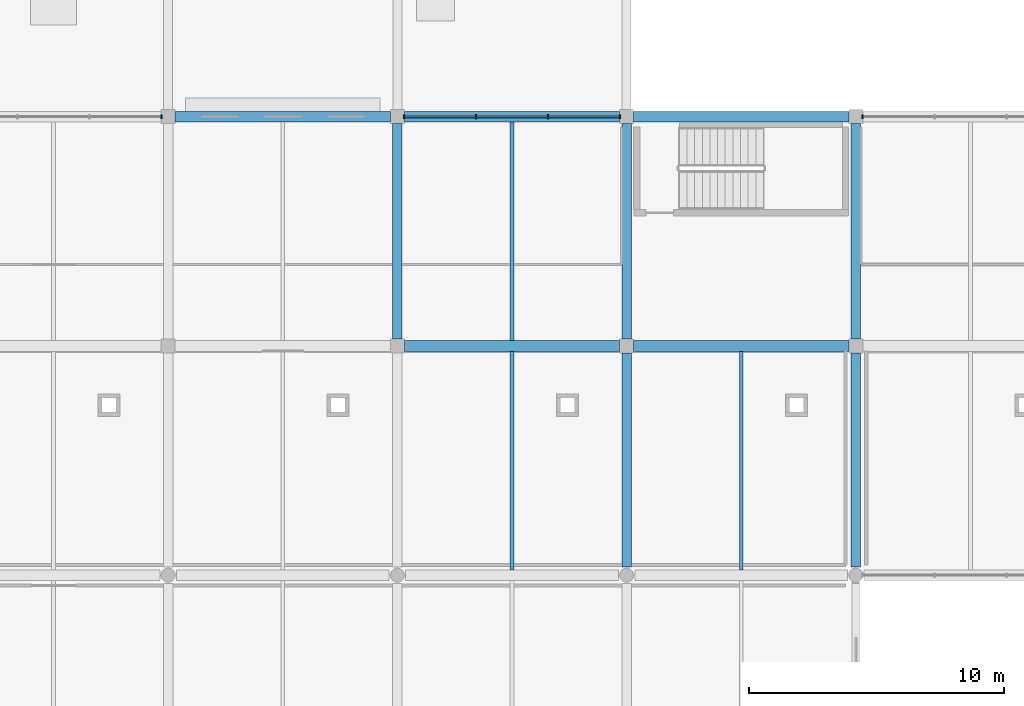
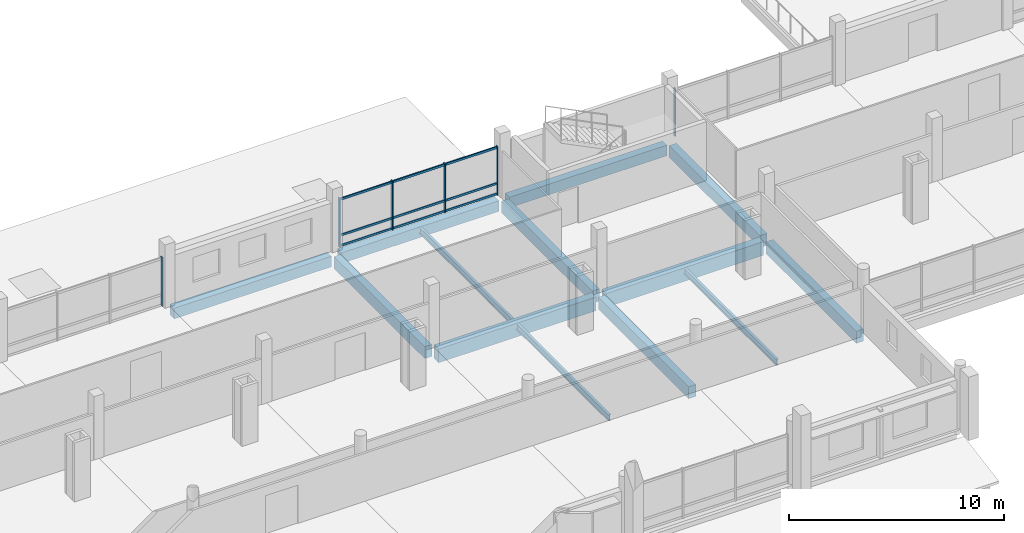
# One storey, part 59 of 132: 15 members, 13 beams, 3 elements without a shape of their own.
"""IFC4 building model written with IfcOpenShell, lengths in metres."""

from ifc_helpers import new_model, si_unit, direction, frame, origin, origin_2d, place, context, subcontext, project, spatial, rectangle, i_section, extrude, material, material_profile, profile_set, type_object, element, aggregate, save


model = new_model("IFC4")

# Units and contexts
model_context = context("Model", 3, precision=1e-05, world=origin(), true_north=direction((0.0, 1.0)))
body_context = subcontext(model_context, "Body", "Model", "MODEL_VIEW")
ifc_project = project(units=[si_unit("LENGTHUNIT", "METRE"), si_unit("AREAUNIT", "SQUARE_METRE"), si_unit("VOLUMEUNIT", "CUBIC_METRE"), si_unit("PLANEANGLEUNIT", "RADIAN"), si_unit("MASSUNIT", "GRAM", prefix="KILO")], contexts=[model_context])

# Site, building, storey
site_placement = place(None, origin())
site = spatial("IfcSite", under=ifc_project, at=site_placement, CompositionType="ELEMENT")
building_placement = place(site_placement, origin())
building = spatial("IfcBuilding", under=site, at=building_placement, Name="Tharagai Park Tramway Depot", CompositionType="ELEMENT")
storey_placement = place(building_placement, frame((0.0, 0.0, 4.800048828125)))
storey = spatial("IfcBuildingStorey", under=building, at=storey_placement, Name="L01", CompositionType="ELEMENT", Elevation=4.800048828125)

# Beams
ifc_material_1 = material(Name="Concrete M35", Category="concrete")
ifc_material_profile_1 = material_profile(ifc_material_1, rectangle(XDim=0.3798828125, YDim=0.679931640625, at=origin_2d()), Name="RC 380x680")
ifc_profile_set_1 = profile_set([ifc_material_profile_1], Name="Concrete M35")
beam_type_1 = type_object("IfcBeamType", Name="BM-12", PredefinedType="BEAM", material=ifc_profile_set_1)
beam_1_placement = place(storey_placement, frame((171.0, 18.27490234375, -0.570068359375), z_axis=(0.0, 1.0, 0.0), x_axis=(-1.0, 0.0, 0.0)))
element("IfcBeam", 1, at=beam_1_placement, inside=storey, type_object=beam_type_1, Name="L01 Grid Beam BM-12", PredefinedType="BEAM", context=body_context, shape_type="SweptSolid", body=[
    extrude(rectangle(XDim=0.3798828125, YDim=0.679931640625, at=origin_2d()), origin(), (0.0, 0.0, 1.0), 8.4501953125),
])
beam_2_placement = place(storey_placement, frame((180.0, 9.324951171875, -0.570068359375), z_axis=(0.0, 1.0, 0.0), x_axis=(-1.0, 0.0, 0.0)))
element("IfcBeam", 2, at=beam_2_placement, inside=storey, type_object=beam_type_1, Name="L01 Grid Beam BM-12", PredefinedType="BEAM", context=body_context, shape_type="SweptSolid", body=[
    extrude(rectangle(XDim=0.3798828125, YDim=0.679931640625, at=origin_2d()), origin(), (0.0, 0.0, 1.0), 8.400146484375),
])
beam_3_placement = place(storey_placement, frame((180.0, 18.27490234375, -0.570068359375), z_axis=(0.0, 1.0, 0.0), x_axis=(-1.0, 0.0, 0.0)))
element("IfcBeam", 3, at=beam_3_placement, inside=storey, type_object=beam_type_1, Name="L01 Grid Beam BM-12", PredefinedType="BEAM", context=body_context, shape_type="SweptSolid", body=[
    extrude(rectangle(XDim=0.3798828125, YDim=0.679931640625, at=origin_2d()), origin(), (0.0, 0.0, 1.0), 8.4501953125),
])
beam_4_placement = place(storey_placement, frame((189.0, 9.324951171875, -0.570068359375), z_axis=(0.0, 1.0, 0.0), x_axis=(-1.0, 0.0, 0.0)))
element("IfcBeam", 4, at=beam_4_placement, inside=storey, type_object=beam_type_1, Name="L01 Grid Beam BM-12", PredefinedType="BEAM", context=body_context, shape_type="SweptSolid", body=[
    extrude(rectangle(XDim=0.3798828125, YDim=0.679931640625, at=origin_2d()), origin(), (0.0, 0.0, 1.0), 8.400146484375),
])
beam_5_placement = place(storey_placement, frame((189.0, 18.27490234375, -0.570068359375), z_axis=(0.0, 1.0, 0.0), x_axis=(-1.0, 0.0, 0.0)))
element("IfcBeam", 5, at=beam_5_placement, inside=storey, type_object=beam_type_1, Name="L01 Grid Beam BM-12", PredefinedType="BEAM", context=body_context, shape_type="SweptSolid", body=[
    extrude(rectangle(XDim=0.3798828125, YDim=0.679931640625, at=origin_2d()), origin(), (0.0, 0.0, 1.0), 8.4501953125),
])
ifc_material_profile_2 = material_profile(ifc_material_1, rectangle(XDim=0.419921875, YDim=0.780029296875, at=origin_2d()), Name="RC 420x780")
ifc_profile_set_2 = profile_set([ifc_material_profile_2], Name="Concrete M35")
beam_type_2 = type_object("IfcBeamType", Name="BM-16", PredefinedType="BEAM", material=ifc_profile_set_2)
for number, where, z_axis, x_axis, name in (
    (6, (171.27490234375, 18.0, -0.6201171875), (1.0, 0.0, 0.0), (0.0, 1.0, 0.0), "L01 Grid Beam BM-16"),
    (7, (180.27490234375, 18.0, -0.6201171875), (1.0, 0.0, 0.0), (0.0, 1.0, 0.0), "L01 Grid Beam BM-16"),
):
    element("IfcBeam", number, at=place(storey_placement, frame(where, z_axis=z_axis, x_axis=x_axis)), inside=storey, type_object=beam_type_2, Name=name, PredefinedType="BEAM", context=body_context, shape_type="SweptSolid", body=[
        extrude(rectangle(XDim=0.419921875, YDim=0.780029296875, at=origin_2d()), origin(), (0.0, 0.0, 1.0), 8.4501953125),
    ])

# Curtain wall, members
ifc_material_2 = material(Name="Anodised aluminium", Category="aluminium")
curtain_wall_type = type_object("IfcCurtainWallType", Name="CW-06", PredefinedType="NOTDEFINED", material=ifc_material_2)
curtain_wall_1_placement = place(storey_placement, origin())
curtain_wall_1 = element("IfcCurtainWall", 8, at=curtain_wall_1_placement, inside=storey, type_object=curtain_wall_type, Name="L01 V5 Gothic Mullioned Curtain Wall CW-06", PredefinedType="NOTDEFINED")
ifc_material_profile_3 = material_profile(ifc_material_2, rectangle(XDim=0.06494140625, YDim=0.1201171875, at=origin_2d()), Name="ALU 65x120")
ifc_profile_set_3 = profile_set([ifc_material_profile_3], Name="Anodised aluminium")
member_type_1 = type_object("IfcMemberType", Name="CM-01", PredefinedType="USERDEFINED", material=ifc_profile_set_3)
member_1_placement = place(storey_placement, frame((171.280029296875, 27.0, 0.06005859375), z_axis=(1.0, 0.0, 0.0), x_axis=(0.0, 1.0, 0.0)))
member_1 = element("IfcMember", 9, at=member_1_placement, type_object=member_type_1, Name="L01 V5 Gothic Mullioned Curtain Wall Transom 1.1", ObjectType="TRANSOM", PredefinedType="USERDEFINED", context=body_context, shape_type="SweptSolid", body=[
    extrude(rectangle(XDim=0.06494140625, YDim=0.1201171875, at=origin_2d()), origin(), (0.0, 0.0, 1.0), 2.793212890625),
])
member_2_placement = place(storey_placement, frame((171.280029296875, 27.0, 0.64990234375), z_axis=(1.0, 0.0, 0.0), x_axis=(0.0, 1.0, 0.0)))
member_2 = element("IfcMember", 10, at=member_2_placement, type_object=member_type_1, Name="L01 V5 Gothic Mullioned Curtain Wall Transom 1.2", ObjectType="TRANSOM", PredefinedType="USERDEFINED", context=body_context, shape_type="SweptSolid", body=[
    extrude(rectangle(XDim=0.06494140625, YDim=0.1201171875, at=origin_2d()), origin(), (0.0, 0.0, 1.0), 2.793212890625),
])
member_3_placement = place(storey_placement, frame((171.280029296875, 27.0, 2.68994140625), z_axis=(1.0, 0.0, 0.0), x_axis=(0.0, 1.0, 0.0)))
member_3 = element("IfcMember", 11, at=member_3_placement, type_object=member_type_1, Name="L01 V5 Gothic Mullioned Curtain Wall Transom 1.3", ObjectType="TRANSOM", PredefinedType="USERDEFINED", context=body_context, shape_type="SweptSolid", body=[
    extrude(rectangle(XDim=0.06494140625, YDim=0.1201171875, at=origin_2d()), origin(), (0.0, 0.0, 1.0), 2.793212890625),
])
member_4_placement = place(storey_placement, frame((174.103271484375, 27.0, 0.06005859375), z_axis=(1.0, 0.0, 0.0), x_axis=(0.0, 1.0, 0.0)))
member_4 = element("IfcMember", 12, at=member_4_placement, type_object=member_type_1, Name="L01 V5 Gothic Mullioned Curtain Wall Transom 2.1", ObjectType="TRANSOM", PredefinedType="USERDEFINED", context=body_context, shape_type="SweptSolid", body=[
    extrude(rectangle(XDim=0.06494140625, YDim=0.1201171875, at=origin_2d()), origin(), (0.0, 0.0, 1.0), 2.79345703125),
])
member_5_placement = place(storey_placement, frame((174.103271484375, 27.0, 0.64990234375), z_axis=(1.0, 0.0, 0.0), x_axis=(0.0, 1.0, 0.0)))
member_5 = element("IfcMember", 13, at=member_5_placement, type_object=member_type_1, Name="L01 V5 Gothic Mullioned Curtain Wall Transom 2.2", ObjectType="TRANSOM", PredefinedType="USERDEFINED", context=body_context, shape_type="SweptSolid", body=[
    extrude(rectangle(XDim=0.06494140625, YDim=0.1201171875, at=origin_2d()), origin(), (0.0, 0.0, 1.0), 2.79345703125),
])
member_6_placement = place(storey_placement, frame((174.103271484375, 27.0, 2.68994140625), z_axis=(1.0, 0.0, 0.0), x_axis=(0.0, 1.0, 0.0)))
member_6 = element("IfcMember", 14, at=member_6_placement, type_object=member_type_1, Name="L01 V5 Gothic Mullioned Curtain Wall Transom 2.3", ObjectType="TRANSOM", PredefinedType="USERDEFINED", context=body_context, shape_type="SweptSolid", body=[
    extrude(rectangle(XDim=0.06494140625, YDim=0.1201171875, at=origin_2d()), origin(), (0.0, 0.0, 1.0), 2.79345703125),
])
member_7_placement = place(storey_placement, frame((176.9267578125, 27.0, 0.06005859375), z_axis=(1.0, 0.0, 0.0), x_axis=(0.0, 1.0, 0.0)))
member_7 = element("IfcMember", 15, at=member_7_placement, type_object=member_type_1, Name="L01 V5 Gothic Mullioned Curtain Wall Transom 3.1", ObjectType="TRANSOM", PredefinedType="USERDEFINED", context=body_context, shape_type="SweptSolid", body=[
    extrude(rectangle(XDim=0.06494140625, YDim=0.1201171875, at=origin_2d()), origin(), (0.0, 0.0, 1.0), 2.793212890625),
])
member_8_placement = place(storey_placement, frame((176.9267578125, 27.0, 0.64990234375), z_axis=(1.0, 0.0, 0.0), x_axis=(0.0, 1.0, 0.0)))
member_8 = element("IfcMember", 16, at=member_8_placement, type_object=member_type_1, Name="L01 V5 Gothic Mullioned Curtain Wall Transom 3.2", ObjectType="TRANSOM", PredefinedType="USERDEFINED", context=body_context, shape_type="SweptSolid", body=[
    extrude(rectangle(XDim=0.06494140625, YDim=0.1201171875, at=origin_2d()), origin(), (0.0, 0.0, 1.0), 2.793212890625),
])
member_9_placement = place(storey_placement, frame((176.9267578125, 27.0, 2.68994140625), z_axis=(1.0, 0.0, 0.0), x_axis=(0.0, 1.0, 0.0)))
member_9 = element("IfcMember", 17, at=member_9_placement, type_object=member_type_1, Name="L01 V5 Gothic Mullioned Curtain Wall Transom 3.3", ObjectType="TRANSOM", PredefinedType="USERDEFINED", context=body_context, shape_type="SweptSolid", body=[
    extrude(rectangle(XDim=0.06494140625, YDim=0.1201171875, at=origin_2d()), origin(), (0.0, 0.0, 1.0), 2.793212890625),
])

# Curtain wall, member
curtain_wall_2_placement = place(storey_placement, origin())
curtain_wall_2 = element("IfcCurtainWall", 18, at=curtain_wall_2_placement, inside=storey, type_object=curtain_wall_type, Name="L01 V5 Gothic Mullioned Curtain Wall CW-06", PredefinedType="NOTDEFINED")
ifc_material_profile_4 = material_profile(ifc_material_2, rectangle(XDim=0.06494140625, YDim=0.14990234375, at=origin_2d()), Name="ALU 65x150")
ifc_profile_set_4 = profile_set([ifc_material_profile_4], Name="Anodised aluminium")
member_type_2 = type_object("IfcMemberType", Name="CM-03", PredefinedType="MULLION", material=ifc_profile_set_4)
member_10_placement = place(storey_placement, frame((161.735107421875, 27.0, -0.005126953125), z_axis=(0.0, 0.0, 1.0), x_axis=(1.0, 0.0, 0.0)))
member_10 = element("IfcMember", 19, at=member_10_placement, type_object=member_type_2, Name="L01 V5 Gothic Mullioned Curtain Wall Mullion 4", PredefinedType="MULLION", context=body_context, shape_type="SweptSolid", body=[
    extrude(rectangle(XDim=0.06494140625, YDim=0.14990234375, at=origin_2d()), origin(), (0.0, 0.0, 1.0), 2.780029296875),
])
aggregate(curtain_wall_2, [member_10])

# Member
member_11_placement = place(storey_placement, frame((171.264892578125, 27.0, -0.005126953125), z_axis=(0.0, 0.0, 1.0), x_axis=(1.0, 0.0, 0.0)))
member_11 = element("IfcMember", 20, at=member_11_placement, type_object=member_type_2, Name="L01 V5 Gothic Mullioned Curtain Wall Mullion 1", PredefinedType="MULLION", context=body_context, shape_type="SweptSolid", body=[
    extrude(rectangle(XDim=0.06494140625, YDim=0.14990234375, at=origin_2d()), origin(), (0.0, 0.0, 1.0), 2.780029296875),
])

member_12_placement = place(storey_placement, frame((174.08837890625, 27.0, -0.005126953125), z_axis=(0.0, 0.0, 1.0), x_axis=(1.0, 0.0, 0.0)))
member_12 = element("IfcMember", 21, at=member_12_placement, type_object=member_type_2, Name="L01 V5 Gothic Mullioned Curtain Wall Mullion 2", PredefinedType="MULLION", context=body_context, shape_type="SweptSolid", body=[
    extrude(rectangle(XDim=0.06494140625, YDim=0.14990234375, at=origin_2d()), origin(), (0.0, 0.0, 1.0), 2.780029296875),
])

member_13_placement = place(storey_placement, frame((176.91162109375, 27.0, -0.005126953125), z_axis=(0.0, 0.0, 1.0), x_axis=(1.0, 0.0, 0.0)))
member_13 = element("IfcMember", 22, at=member_13_placement, type_object=member_type_2, Name="L01 V5 Gothic Mullioned Curtain Wall Mullion 3", PredefinedType="MULLION", context=body_context, shape_type="SweptSolid", body=[
    extrude(rectangle(XDim=0.06494140625, YDim=0.14990234375, at=origin_2d()), origin(), (0.0, 0.0, 1.0), 2.780029296875),
])

member_14_placement = place(storey_placement, frame((179.735107421875, 27.0, -0.005126953125), z_axis=(0.0, 0.0, 1.0), x_axis=(1.0, 0.0, 0.0)))
member_14 = element("IfcMember", 23, at=member_14_placement, type_object=member_type_2, Name="L01 V5 Gothic Mullioned Curtain Wall Mullion 4", PredefinedType="MULLION", context=body_context, shape_type="SweptSolid", body=[
    extrude(rectangle(XDim=0.06494140625, YDim=0.14990234375, at=origin_2d()), origin(), (0.0, 0.0, 1.0), 2.780029296875),
])

aggregate(curtain_wall_1, [member_11, member_12, member_13, member_14, member_1, member_2, member_3, member_4, member_5, member_6, member_7, member_8, member_9])

# Curtain wall, member
curtain_wall_3_placement = place(storey_placement, origin())
curtain_wall_3 = element("IfcCurtainWall", 24, at=curtain_wall_3_placement, inside=storey, type_object=curtain_wall_type, Name="L01 V5 Gothic Mullioned Curtain Wall CW-06", PredefinedType="NOTDEFINED")
member_15_placement = place(storey_placement, frame((189.264892578125, 27.0, -0.005126953125), z_axis=(0.0, 0.0, 1.0), x_axis=(1.0, 0.0, 0.0)))
member_15 = element("IfcMember", 25, at=member_15_placement, type_object=member_type_2, Name="L01 V5 Gothic Mullioned Curtain Wall Mullion 1", PredefinedType="MULLION", context=body_context, shape_type="SweptSolid", body=[
    extrude(rectangle(XDim=0.06494140625, YDim=0.14990234375, at=origin_2d()), origin(), (0.0, 0.0, 1.0), 2.719970703125),
])
aggregate(curtain_wall_3, [member_15])

# Beams
ifc_material_3 = material(Name="Steel E350", Category="steel")
ifc_material_profile_5 = material_profile(ifc_material_3, i_section(OverallWidth=0.139892578125, OverallDepth=0.35009765625, WebThickness=0.008056640625, FlangeThickness=0.01416015625, FilletRadius=0.013916015625, at=origin_2d()), Name="ISMB 350")
ifc_profile_set_5 = profile_set([ifc_material_profile_5], Name="Steel E350")
beam_type_3 = type_object("IfcBeamType", Name="JT-01", PredefinedType="JOIST", material=ifc_profile_set_5)
beam_6_placement = place(storey_placement, frame((175.5, 9.2099609375, -0.405029296875), z_axis=(0.0, 1.0, 0.0), x_axis=(-1.0, 0.0, 0.0)))
element("IfcBeam", 26, at=beam_6_placement, inside=storey, type_object=beam_type_3, Name="L01 Secondary Joist JT-01", PredefinedType="JOIST", context=body_context, shape_type="SweptSolid", body=[
    extrude(i_section(OverallWidth=0.139892578125, OverallDepth=0.35009765625, WebThickness=0.008056640625, FlangeThickness=0.01416015625, FilletRadius=0.013916015625, at=origin_2d()), origin(), (0.0, 0.0, 1.0), 8.580078125),
])
beam_7_placement = place(storey_placement, frame((175.5, 18.2099609375, -0.405029296875), z_axis=(0.0, 1.0, 0.0), x_axis=(-1.0, 0.0, 0.0)))
element("IfcBeam", 27, at=beam_7_placement, inside=storey, type_object=beam_type_3, Name="L01 Secondary Joist JT-01", PredefinedType="JOIST", context=body_context, shape_type="SweptSolid", body=[
    extrude(i_section(OverallWidth=0.139892578125, OverallDepth=0.35009765625, WebThickness=0.008056640625, FlangeThickness=0.01416015625, FilletRadius=0.013916015625, at=origin_2d()), origin(), (0.0, 0.0, 1.0), 8.590087890625),
])
beam_8_placement = place(storey_placement, frame((184.5, 9.2099609375, -0.405029296875), z_axis=(0.0, 1.0, 0.0), x_axis=(-1.0, 0.0, 0.0)))
element("IfcBeam", 28, at=beam_8_placement, inside=storey, type_object=beam_type_3, Name="L01 Secondary Joist JT-01", PredefinedType="JOIST", context=body_context, shape_type="SweptSolid", body=[
    extrude(i_section(OverallWidth=0.139892578125, OverallDepth=0.35009765625, WebThickness=0.008056640625, FlangeThickness=0.01416015625, FilletRadius=0.013916015625, at=origin_2d()), origin(), (0.0, 0.0, 1.0), 8.580078125),
])
ifc_material_profile_6 = material_profile(ifc_material_1, rectangle(XDim=0.39990234375, YDim=0.60009765625, at=origin_2d()), Name="RC 400x600")
ifc_profile_set_6 = profile_set([ifc_material_profile_6], Name="Concrete M35")
beam_type_4 = type_object("IfcBeamType", Name="SP-02", PredefinedType="SPANDREL", material=ifc_profile_set_6)
for number, where, z_axis, x_axis, name in (
    (29, (162.27490234375, 27.0, -0.530029296875), (1.0, 0.0, 0.0), (0.0, 1.0, 0.0), "L01 Grid Beam SP-02"),
    (30, (171.27490234375, 27.0, -0.530029296875), (1.0, 0.0, 0.0), (0.0, 1.0, 0.0), "L01 Grid Beam SP-02"),
    (31, (180.27490234375, 27.0, -0.530029296875), (1.0, 0.0, 0.0), (0.0, 1.0, 0.0), "L01 Grid Beam SP-02"),
):
    element("IfcBeam", number, at=place(storey_placement, frame(where, z_axis=z_axis, x_axis=x_axis)), inside=storey, type_object=beam_type_4, Name=name, PredefinedType="SPANDREL", context=body_context, shape_type="SweptSolid", body=[
        extrude(rectangle(XDim=0.39990234375, YDim=0.60009765625, at=origin_2d()), origin(), (0.0, 0.0, 1.0), 8.4501953125),
    ])

save(model, "model.ifc")
